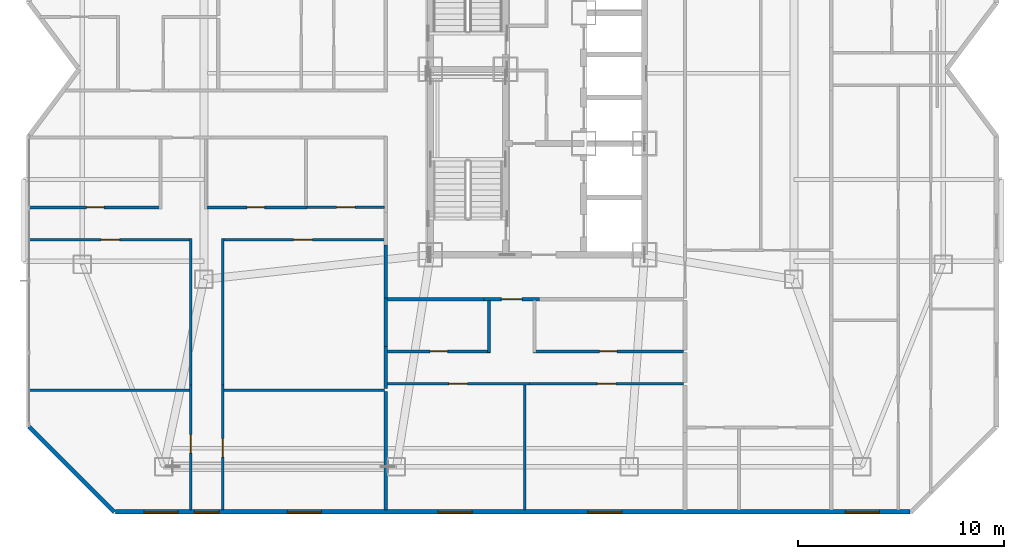
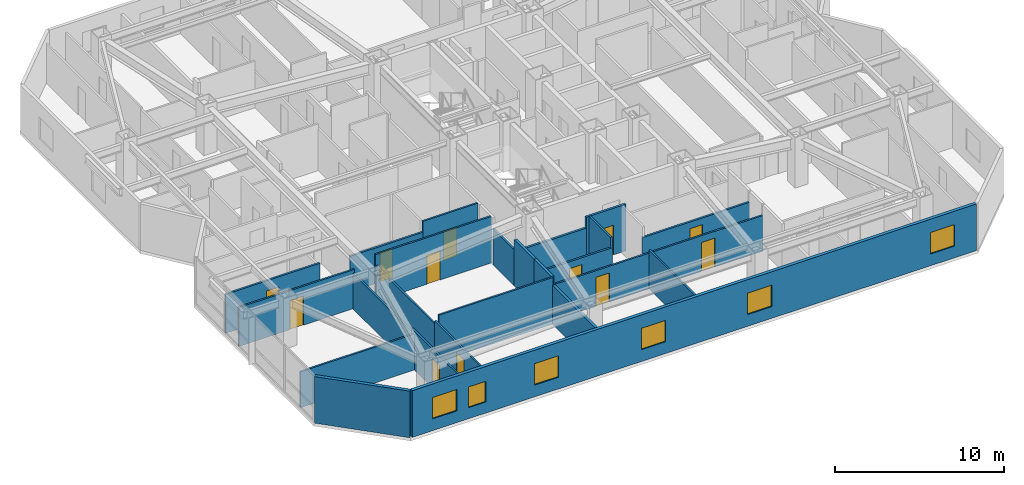
# One storey, part 11 of 17: 25 walls, 12 doors, 6 windows, 18 openings.
"""IFC4 building model written with IfcOpenShell, lengths in metres."""

from ifc_helpers import new_model, si_unit, direction, frame, frame_2d, origin, place, context, subcontext, project, spatial, rectangle, extrude, material, layer, layer_set, type_object, element, fill, save


model = new_model("IFC4")

# Units and contexts
model_context = context("Model", 3, precision=1e-05, world=origin(), true_north=direction((0.0, 1.0)))
body_context = subcontext(model_context, "Body", "Model", "MODEL_VIEW")
ifc_project = project(units=[si_unit("LENGTHUNIT", "METRE"), si_unit("AREAUNIT", "SQUARE_METRE"), si_unit("VOLUMEUNIT", "CUBIC_METRE"), si_unit("PLANEANGLEUNIT", "RADIAN"), si_unit("MASSUNIT", "GRAM", prefix="KILO")], contexts=[model_context])

# Site, building, storey
site_placement = place(None, origin())
site = spatial("IfcSite", under=ifc_project, at=site_placement, CompositionType="ELEMENT")
building_placement = place(site_placement, origin())
building = spatial("IfcBuilding", under=site, at=building_placement, Name="Khamvora Tower", CompositionType="ELEMENT")
storey_placement = place(building_placement, frame((0.0, 0.0, 142.050048828125)))
storey = spatial("IfcBuildingStorey", under=building, at=storey_placement, Name="L36", CompositionType="ELEMENT", Elevation=142.050048828125)

# Wall
ifc_material_1 = material(Name="Fire-Rated Drywall and Steel Stud", Category="steel")
ifc_layer_1 = layer(ifc_material_1, 0.14990234375)
ifc_layer_set_1 = layer_set([ifc_layer_1], Name="Fire-Rated Drywall and Steel Stud")
wall_type_1 = type_object("IfcWallType", Name="WAL-CORR-150", PredefinedType="STANDARD", material=ifc_layer_set_1)
wall_1_placement = place(storey_placement, frame((26.8349609375, 16.89990234375, 0.0), z_axis=(0.0, 0.0, 1.0), x_axis=(0.0, 1.0, 0.0)))
element("IfcWall", 1, at=wall_1_placement, inside=storey, type_object=wall_type_1, Name="L36 interior partition wall 013", PredefinedType="STANDARD", context=body_context, shape_type="SweptSolid", body=[
    extrude(rectangle(XDim=2.566162109375, YDim=0.14990234375, at=frame_2d((1.283203125, 0.0))), origin(), (0.0, 0.0, 1.0), 2.5869140625),
])

# Wall, opening, door
wall_2_placement = place(storey_placement, frame((34.299072265625, 16.8349609375, 0.0), z_axis=(0.0, 0.0, 1.0), x_axis=(-1.0, 0.0, 0.0)))
wall_2 = element("IfcWall", 2, at=wall_2_placement, inside=storey, type_object=wall_type_1, Name="L36 interior partition wall 022", PredefinedType="STANDARD", context=body_context, shape_type="SweptSolid", body=[
    extrude(rectangle(XDim=2.697998046875, YDim=0.14990234375, at=frame_2d((1.34912109375, 0.0))), origin(), (0.0, 0.0, 1.0), 3.369873046875),
])
opening_1_placement = place(wall_2_placement, frame((0.84912109375, 0.0, 0.0)))
opening_1 = element("IfcOpeningElement", 3, at=opening_1_placement, cuts=wall_2, Name="Opening D-U1", PredefinedType="OPENING", context=body_context, shape_type="SweptSolid", body=[
    extrude(rectangle(XDim=1.0, YDim=2.14990234375, at=frame_2d((0.5, 1.074951171875))), frame((0.0, 0.0849609375, 0.0), z_axis=(0.0, -1.0, 0.0), x_axis=(1.0, 0.0, 0.0)), (0.0, 0.0, 1.0), 0.169921875),
])
ifc_material_2 = material(Name="Powder-Coated Steel and Hardwood Leaf", Category="steel")
door_type_1 = type_object("IfcDoorType", Name="DOR-UNIT-1000", OperationType="NOTDEFINED", PredefinedType="DOOR", material=ifc_material_2)
door_1_placement = place(opening_1_placement, origin())
door_1 = element("IfcDoor", 4, at=door_1_placement, inside=storey, type_object=door_type_1, Name="L36 interior door COR-36SAH", OperationType="SINGLE_SWING_RIGHT", OverallHeight=2.14990234375, OverallWidth=1.0, PredefinedType="DOOR", context=body_context, shape_type="SweptSolid", body=[
    extrude(rectangle(XDim=1.0, YDim=2.14990234375, at=frame_2d((0.5, 1.074951171875))), frame((0.0, 0.02490234375, 0.0), z_axis=(0.0, -1.0, 0.0), x_axis=(1.0, 0.0, 0.0)), (0.0, 0.0, 1.0), 0.050048828125),
])
fill(opening_1, door_1)

# Walls
wall_3_placement = place(storey_placement, frame((31.60107421875, 16.8349609375, 0.0), z_axis=(0.0, 0.0, 1.0), x_axis=(-1.0, 0.0, 0.0)))
element("IfcWall", 5, at=wall_3_placement, inside=storey, type_object=wall_type_1, Name="L36 interior partition wall 023", PredefinedType="STANDARD", context=body_context, shape_type="SweptSolid", body=[
    extrude(rectangle(XDim=4.701171875, YDim=0.14990234375, at=frame_2d((2.3505859375, 0.0))), origin(), (0.0, 0.0, 1.0), 2.5869140625),
])
ifc_material_3 = material(Name="Acoustic Double-Stud Fire Wall", Category="gypsum")
ifc_layer_2 = layer(ifc_material_3, 0.179931640625)
ifc_layer_set_2 = layer_set([ifc_layer_2], Name="Acoustic Double-Stud Fire Wall")
wall_type_2 = type_object("IfcWallType", Name="WAL-CORR-180", PredefinedType="STANDARD", material=ifc_layer_set_2)
wall_4_placement = place(storey_placement, frame((26.8349609375, 12.364013671875, 0.0), z_axis=(0.0, 0.0, 1.0), x_axis=(0.0, -1.0, 0.0)))
element("IfcWall", 6, at=wall_4_placement, inside=storey, type_object=wall_type_2, Name="L36 interior partition wall 058", PredefinedType="STANDARD", context=body_context, shape_type="SweptSolid", body=[
    extrude(rectangle(XDim=5.751953125, YDim=0.179931640625, at=frame_2d((2.8759765625, 0.0))), origin(), (0.0, 0.0, 1.0), 2.81591796875),
])
wall_5_placement = place(storey_placement, frame((26.8349609375, 14.553955078125, 0.0), z_axis=(0.0, 0.0, 1.0), x_axis=(0.0, -1.0, 0.0)))
element("IfcWall", 7, at=wall_5_placement, inside=storey, type_object=wall_type_2, Name="L36 interior partition wall 059", PredefinedType="STANDARD", context=body_context, shape_type="SweptSolid", body=[
    extrude(rectangle(XDim=2.06005859375, YDim=0.179931640625, at=frame_2d((1.030029296875, 0.0))), origin(), (0.0, 0.0, 1.0), 3.369873046875),
])
wall_6_placement = place(storey_placement, frame((26.8349609375, 16.89990234375, 0.0), z_axis=(0.0, 0.0, 1.0), x_axis=(0.0, -1.0, 0.0)))
element("IfcWall", 8, at=wall_6_placement, inside=storey, type_object=wall_type_2, Name="L36 interior partition wall 060", PredefinedType="STANDARD", context=body_context, shape_type="SweptSolid", body=[
    extrude(rectangle(XDim=2.345947265625, YDim=0.179931640625, at=frame_2d((1.1728515625, 0.0))), origin(), (0.0, 0.0, 1.0), 3.369873046875),
])
ifc_material_4 = material(Name="Precast concrete C40/50", Category="concrete")
ifc_layer_3 = layer(ifc_material_4, 0.219970703125)
ifc_layer_set_3 = layer_set([ifc_layer_3], Name="Precast concrete C40/50")
wall_type_3 = type_object("IfcWallType", Name="WAL-EXT-220", PredefinedType="STANDARD", material=ifc_layer_set_3)
wall_7_placement = place(storey_placement, frame((13.64599609375, 6.510009765625, 0.0), z_axis=(0.0, 0.0, 1.0), x_axis=(-0.707106781187, 0.707106781187, 0.0)))
element("IfcWall", 9, at=wall_7_placement, inside=storey, type_object=wall_type_3, Name="L36 exterior facade wall 01.1", PredefinedType="STANDARD", context=body_context, shape_type="SweptSolid", body=[
    extrude(rectangle(XDim=5.84912109375, YDim=0.219970703125, at=frame_2d((2.924560546875, 0.0))), origin(), (0.0, 0.0, 1.0), 3.369873046875),
])

# Wall, openings, windows
wall_8_placement = place(storey_placement, frame((52.282958984375, 6.510009765625, 0.0), z_axis=(0.0, 0.0, 1.0), x_axis=(-1.0, 0.0, 0.0)))
wall_8 = element("IfcWall", 10, at=wall_8_placement, inside=storey, type_object=wall_type_3, Name="L36 exterior facade wall 14.1", PredefinedType="STANDARD", context=body_context, shape_type="SweptSolid", body=[
    extrude(rectangle(XDim=38.56787109375, YDim=0.219970703125, at=frame_2d((19.283935546875, 0.0))), origin(), (0.0, 0.0, 1.0), 3.369873046875),
])
opening_2_placement = place(wall_8_placement, frame((33.54296875, 0.0, 0.800048828125)))
opening_2 = element("IfcOpeningElement", 11, at=opening_2_placement, cuts=wall_8, Name="Opening WN-03", PredefinedType="OPENING", context=body_context, shape_type="SweptSolid", body=[
    extrude(rectangle(XDim=1.199951171875, YDim=1.5, at=frame_2d((0.60009765625, 0.75))), frame((0.0, 0.119873046875, 0.0), z_axis=(0.0, -1.0, 0.0), x_axis=(1.0, 0.0, 0.0)), (0.0, 0.0, 1.0), 0.239990234375),
])
opening_3_placement = place(wall_8_placement, frame((35.530029296875, 0.0, 0.85009765625)))
opening_3 = element("IfcOpeningElement", 12, at=opening_3_placement, cuts=wall_8, Name="Opening WN-06", PredefinedType="OPENING", context=body_context, shape_type="SweptSolid", body=[
    extrude(rectangle(XDim=1.64990234375, YDim=1.550048828125, at=frame_2d((0.824951171875, 0.77490234375))), frame((0.0, 0.119873046875, 0.0), z_axis=(0.0, -1.0, 0.0), x_axis=(1.0, 0.0, 0.0)), (0.0, 0.0, 1.0), 0.239990234375),
])
opening_4_placement = place(wall_8_placement, frame((28.577880859375, 0.0, 0.85009765625)))
opening_4 = element("IfcOpeningElement", 13, at=opening_4_placement, cuts=wall_8, Name="Opening WN-06", PredefinedType="OPENING", context=body_context, shape_type="SweptSolid", body=[
    extrude(rectangle(XDim=1.64990234375, YDim=1.550048828125, at=frame_2d((0.824951171875, 0.77490234375))), frame((0.0, 0.119873046875, 0.0), z_axis=(0.0, -1.0, 0.0), x_axis=(1.0, 0.0, 0.0)), (0.0, 0.0, 1.0), 0.239990234375),
])
opening_5_placement = place(wall_8_placement, frame((21.2529296875, 0.0, 0.85009765625)))
opening_5 = element("IfcOpeningElement", 14, at=opening_5_placement, cuts=wall_8, Name="Opening WN-06", PredefinedType="OPENING", context=body_context, shape_type="SweptSolid", body=[
    extrude(rectangle(XDim=1.64990234375, YDim=1.550048828125, at=frame_2d((0.824951171875, 0.77490234375))), frame((0.0, 0.119873046875, 0.0), z_axis=(0.0, -1.0, 0.0), x_axis=(1.0, 0.0, 0.0)), (0.0, 0.0, 1.0), 0.239990234375),
])
opening_6_placement = place(wall_8_placement, frame((13.988037109375, 0.0, 0.85009765625)))
opening_6 = element("IfcOpeningElement", 15, at=opening_6_placement, cuts=wall_8, Name="Opening WN-06", PredefinedType="OPENING", context=body_context, shape_type="SweptSolid", body=[
    extrude(rectangle(XDim=1.64990234375, YDim=1.550048828125, at=frame_2d((0.824951171875, 0.77490234375))), frame((0.0, 0.119873046875, 0.0), z_axis=(0.0, -1.0, 0.0), x_axis=(1.0, 0.0, 0.0)), (0.0, 0.0, 1.0), 0.239990234375),
])
opening_7_placement = place(wall_8_placement, frame((1.47900390625, 0.0, 0.85009765625)))
opening_7 = element("IfcOpeningElement", 16, at=opening_7_placement, cuts=wall_8, Name="Opening WN-06", PredefinedType="OPENING", context=body_context, shape_type="SweptSolid", body=[
    extrude(rectangle(XDim=1.64990234375, YDim=1.550048828125, at=frame_2d((0.824951171875, 0.77490234375))), frame((0.0, 0.119873046875, 0.0), z_axis=(0.0, -1.0, 0.0), x_axis=(1.0, 0.0, 0.0)), (0.0, 0.0, 1.0), 0.239990234375),
])
ifc_material_5 = material(Name="Low-E Laminated Double Glazing", Category="glass")
window_type_1 = type_object("IfcWindowType", Name="WIN-VIS-1200x1500", PartitioningType="SINGLE_PANEL", PredefinedType="WINDOW", material=ifc_material_5)
window_1_placement = place(opening_2_placement, origin())
window_1 = element("IfcWindow", 17, at=window_1_placement, inside=storey, type_object=window_type_1, Name="L36 vision window 14.1.01", OverallHeight=1.5, OverallWidth=1.199951171875, PartitioningType="SINGLE_PANEL", PredefinedType="WINDOW", context=body_context, shape_type="SweptSolid", body=[
    extrude(rectangle(XDim=1.199951171875, YDim=1.5, at=frame_2d((0.60009765625, 0.75))), frame((0.0, 0.030029296875, 0.0), z_axis=(0.0, -1.0, 0.0), x_axis=(1.0, 0.0, 0.0)), (0.0, 0.0, 1.0), 0.06005859375),
])
fill(opening_2, window_1)
window_type_2 = type_object("IfcWindowType", Name="WIN-VIS-1650x1550", PartitioningType="SINGLE_PANEL", PredefinedType="WINDOW", material=ifc_material_5)
window_2_placement = place(opening_3_placement, origin())
window_2 = element("IfcWindow", 18, at=window_2_placement, inside=storey, type_object=window_type_2, Name="L36 vision window 14.1.02", OverallHeight=1.550048828125, OverallWidth=1.64990234375, PartitioningType="SINGLE_PANEL", PredefinedType="WINDOW", context=body_context, shape_type="SweptSolid", body=[
    extrude(rectangle(XDim=1.64990234375, YDim=1.550048828125, at=frame_2d((0.824951171875, 0.77490234375))), frame((0.0, 0.030029296875, 0.0), z_axis=(0.0, -1.0, 0.0), x_axis=(1.0, 0.0, 0.0)), (0.0, 0.0, 1.0), 0.06005859375),
])
fill(opening_3, window_2)
window_3_placement = place(opening_4_placement, origin())
window_3 = element("IfcWindow", 19, at=window_3_placement, inside=storey, type_object=window_type_2, Name="L36 vision window 14.1.03", OverallHeight=1.550048828125, OverallWidth=1.64990234375, PartitioningType="SINGLE_PANEL", PredefinedType="WINDOW", context=body_context, shape_type="SweptSolid", body=[
    extrude(rectangle(XDim=1.64990234375, YDim=1.550048828125, at=frame_2d((0.824951171875, 0.77490234375))), frame((0.0, 0.030029296875, 0.0), z_axis=(0.0, -1.0, 0.0), x_axis=(1.0, 0.0, 0.0)), (0.0, 0.0, 1.0), 0.06005859375),
])
fill(opening_4, window_3)
window_4_placement = place(opening_5_placement, origin())
window_4 = element("IfcWindow", 20, at=window_4_placement, inside=storey, type_object=window_type_2, Name="L36 vision window 14.1.04", OverallHeight=1.550048828125, OverallWidth=1.64990234375, PartitioningType="SINGLE_PANEL", PredefinedType="WINDOW", context=body_context, shape_type="SweptSolid", body=[
    extrude(rectangle(XDim=1.64990234375, YDim=1.550048828125, at=frame_2d((0.824951171875, 0.77490234375))), frame((0.0, 0.030029296875, 0.0), z_axis=(0.0, -1.0, 0.0), x_axis=(1.0, 0.0, 0.0)), (0.0, 0.0, 1.0), 0.06005859375),
])
fill(opening_5, window_4)
window_5_placement = place(opening_6_placement, origin())
window_5 = element("IfcWindow", 21, at=window_5_placement, inside=storey, type_object=window_type_2, Name="L36 vision window 14.1.05", OverallHeight=1.550048828125, OverallWidth=1.64990234375, PartitioningType="SINGLE_PANEL", PredefinedType="WINDOW", context=body_context, shape_type="SweptSolid", body=[
    extrude(rectangle(XDim=1.64990234375, YDim=1.550048828125, at=frame_2d((0.824951171875, 0.77490234375))), frame((0.0, 0.030029296875, 0.0), z_axis=(0.0, -1.0, 0.0), x_axis=(1.0, 0.0, 0.0)), (0.0, 0.0, 1.0), 0.06005859375),
])
fill(opening_6, window_5)
window_6_placement = place(opening_7_placement, origin())
window_6 = element("IfcWindow", 22, at=window_6_placement, inside=storey, type_object=window_type_2, Name="L36 vision window 14.1.06", OverallHeight=1.550048828125, OverallWidth=1.64990234375, PartitioningType="SINGLE_PANEL", PredefinedType="WINDOW", context=body_context, shape_type="SweptSolid", body=[
    extrude(rectangle(XDim=1.64990234375, YDim=1.550048828125, at=frame_2d((0.824951171875, 0.77490234375))), frame((0.0, 0.030029296875, 0.0), z_axis=(0.0, -1.0, 0.0), x_axis=(1.0, 0.0, 0.0)), (0.0, 0.0, 1.0), 0.06005859375),
])
fill(opening_7, window_6)

# Wall, opening, door
ifc_material_6 = material(Name="Gypsum Plasterboard Partition", Category="gypsum")
ifc_layer_4 = layer(ifc_material_6, 0.1201171875)
ifc_layer_set_4 = layer_set([ifc_layer_4], Name="Gypsum Plasterboard Partition")
wall_type_4 = type_object("IfcWallType", Name="WAL-PART-120", PredefinedType="PARTITIONING", material=ifc_layer_set_4)
wall_9_placement = place(storey_placement, frame((26.77001953125, 21.294921875, 0.0), z_axis=(0.0, 0.0, 1.0), x_axis=(-1.0, 0.0, 0.0)))
wall_9 = element("IfcWall", 23, at=wall_9_placement, inside=storey, type_object=wall_type_4, Name="L36 interior partition wall 044", PredefinedType="PARTITIONING", context=body_context, shape_type="SweptSolid", body=[
    extrude(rectangle(XDim=3.75, YDim=0.1201171875, at=frame_2d((1.875, 0.0))), origin(), (0.0, 0.0, 1.0), 3.369873046875),
])
opening_8_placement = place(wall_9_placement, frame((1.425048828125, 0.0, 0.0)))
opening_8 = element("IfcOpeningElement", 24, at=opening_8_placement, cuts=wall_9, Name="Opening D-RM1", PredefinedType="OPENING", context=body_context, shape_type="SweptSolid", body=[
    extrude(rectangle(XDim=0.89990234375, YDim=2.10009765625, at=frame_2d((0.449951171875, 1.050048828125))), frame((0.0, 0.070068359375, 0.0), z_axis=(0.0, -1.0, 0.0), x_axis=(1.0, 0.0, 0.0)), (0.0, 0.0, 1.0), 0.14013671875),
])
door_type_2 = type_object("IfcDoorType", Name="DOR-ROOM-900", OperationType="NOTDEFINED", PredefinedType="DOOR", material=ifc_material_2)
door_2_placement = place(opening_8_placement, origin())
door_2 = element("IfcDoor", 25, at=door_2_placement, inside=storey, type_object=door_type_2, Name="L36 interior door 36WAW2-36WAH", OperationType="SINGLE_SWING_LEFT", OverallHeight=2.10009765625, OverallWidth=0.89990234375, PredefinedType="DOOR", context=body_context, shape_type="SweptSolid", body=[
    extrude(rectangle(XDim=0.89990234375, YDim=2.10009765625, at=frame_2d((0.449951171875, 1.050048828125))), frame((0.0, 0.02490234375, 0.0), z_axis=(0.0, -1.0, 0.0), x_axis=(1.0, 0.0, 0.0)), (0.0, 0.0, 1.0), 0.050048828125),
])
fill(opening_8, door_2)

wall_10_placement = place(storey_placement, frame((17.35498046875, 6.612060546875, 0.0), z_axis=(0.0, 0.0, 1.0), x_axis=(0.0, 1.0, 0.0)))
wall_10 = element("IfcWall", 26, at=wall_10_placement, inside=storey, type_object=wall_type_4, Name="L36 interior partition wall 050", PredefinedType="PARTITIONING", context=body_context, shape_type="SweptSolid", body=[
    extrude(rectangle(XDim=6.06591796875, YDim=0.1201171875, at=frame_2d((3.032958984375, 0.0))), origin(), (0.0, 0.0, 1.0), 2.81591796875),
])
opening_9_placement = place(wall_10_placement, frame((2.75390625, 0.0, 0.0)))
opening_9 = element("IfcOpeningElement", 27, at=opening_9_placement, cuts=wall_10, Name="Opening D-RM1", PredefinedType="OPENING", context=body_context, shape_type="SweptSolid", body=[
    extrude(rectangle(XDim=0.89990234375, YDim=2.10009765625, at=frame_2d((0.449951171875, 1.050048828125))), frame((0.0, 0.070068359375, 0.0), z_axis=(0.0, -1.0, 0.0), x_axis=(1.0, 0.0, 0.0)), (0.0, 0.0, 1.0), 0.14013671875),
])
door_3_placement = place(opening_9_placement, origin())
door_3 = element("IfcDoor", 28, at=door_3_placement, inside=storey, type_object=door_type_2, Name="L36 interior door 36WAH-36WAR1", OperationType="SINGLE_SWING_RIGHT", OverallHeight=2.10009765625, OverallWidth=0.89990234375, PredefinedType="DOOR", context=body_context, shape_type="SweptSolid", body=[
    extrude(rectangle(XDim=0.89990234375, YDim=2.10009765625, at=frame_2d((0.449951171875, 1.050048828125))), frame((0.0, 0.02490234375, 0.0), z_axis=(0.0, -1.0, 0.0), x_axis=(1.0, 0.0, 0.0)), (0.0, 0.0, 1.0), 0.050048828125),
])
fill(opening_9, door_3)

# Wall
wall_11_placement = place(storey_placement, frame((17.35498046875, 12.677978515625, 0.0), z_axis=(0.0, 0.0, 1.0), x_axis=(0.0, 1.0, 0.0)))
element("IfcWall", 29, at=wall_11_placement, inside=storey, type_object=wall_type_4, Name="L36 interior partition wall 051", PredefinedType="PARTITIONING", context=body_context, shape_type="SweptSolid", body=[
    extrude(rectangle(XDim=7.10205078125, YDim=0.1201171875, at=frame_2d((3.551025390625, 0.0))), origin(), (0.0, 0.0, 1.0), 2.5869140625),
])

# Wall, opening, door
wall_12_placement = place(storey_placement, frame((17.419921875, 19.715087890625, 0.0), z_axis=(0.0, 0.0, 1.0), x_axis=(-1.0, 0.0, 0.0)))
wall_12 = element("IfcWall", 30, at=wall_12_placement, inside=storey, type_object=wall_type_4, Name="L36 interior partition wall 052", PredefinedType="PARTITIONING", context=body_context, shape_type="SweptSolid", body=[
    extrude(rectangle(XDim=7.909912109375, YDim=0.1201171875, at=frame_2d((3.955078125, 0.0))), origin(), (0.0, 0.0, 1.0), 2.81591796875),
])
opening_10_placement = place(wall_12_placement, frame((3.5048828125, 0.0, 0.0)))
opening_10 = element("IfcOpeningElement", 31, at=opening_10_placement, cuts=wall_12, Name="Opening D-RM1", PredefinedType="OPENING", context=body_context, shape_type="SweptSolid", body=[
    extrude(rectangle(XDim=0.89990234375, YDim=2.10009765625, at=frame_2d((0.449951171875, 1.050048828125))), frame((0.0, 0.070068359375, 0.0), z_axis=(0.0, -1.0, 0.0), x_axis=(1.0, 0.0, 0.0)), (0.0, 0.0, 1.0), 0.14013671875),
])
door_4_placement = place(opening_10_placement, origin())
door_4 = element("IfcDoor", 32, at=door_4_placement, inside=storey, type_object=door_type_2, Name="L36 interior door 36WAH-36WAR2", OperationType="SINGLE_SWING_LEFT", OverallHeight=2.10009765625, OverallWidth=0.89990234375, PredefinedType="DOOR", context=body_context, shape_type="SweptSolid", body=[
    extrude(rectangle(XDim=0.89990234375, YDim=2.10009765625, at=frame_2d((0.449951171875, 1.050048828125))), frame((0.0, 0.02490234375, 0.0), z_axis=(0.0, -1.0, 0.0), x_axis=(1.0, 0.0, 0.0)), (0.0, 0.0, 1.0), 0.050048828125),
])
fill(opening_10, door_4)

wall_13_placement = place(storey_placement, frame((18.925048828125, 12.677978515625, 0.0), z_axis=(0.0, 0.0, 1.0), x_axis=(0.0, -1.0, 0.0)))
wall_13 = element("IfcWall", 33, at=wall_13_placement, inside=storey, type_object=wall_type_4, Name="L36 interior partition wall 053", PredefinedType="PARTITIONING", context=body_context, shape_type="SweptSolid", body=[
    extrude(rectangle(XDim=6.06591796875, YDim=0.1201171875, at=frame_2d((3.032958984375, 0.0))), origin(), (0.0, 0.0, 1.0), 2.81591796875),
])
opening_11_placement = place(wall_13_placement, frame((2.60400390625, 0.0, 0.0)))
opening_11 = element("IfcOpeningElement", 34, at=opening_11_placement, cuts=wall_13, Name="Opening D-RM1", PredefinedType="OPENING", context=body_context, shape_type="SweptSolid", body=[
    extrude(rectangle(XDim=0.89990234375, YDim=2.10009765625, at=frame_2d((0.449951171875, 1.050048828125))), frame((0.0, 0.070068359375, 0.0), z_axis=(0.0, -1.0, 0.0), x_axis=(1.0, 0.0, 0.0)), (0.0, 0.0, 1.0), 0.14013671875),
])
door_5_placement = place(opening_11_placement, origin())
door_5 = element("IfcDoor", 35, at=door_5_placement, inside=storey, type_object=door_type_2, Name="L36 interior door 36WAH-36WAR3", OperationType="SINGLE_SWING_RIGHT", OverallHeight=2.10009765625, OverallWidth=0.89990234375, PredefinedType="DOOR", context=body_context, shape_type="SweptSolid", body=[
    extrude(rectangle(XDim=0.89990234375, YDim=2.10009765625, at=frame_2d((0.449951171875, 1.050048828125))), frame((0.0, 0.02490234375, 0.0), z_axis=(0.0, -1.0, 0.0), x_axis=(1.0, 0.0, 0.0)), (0.0, 0.0, 1.0), 0.050048828125),
])
fill(opening_11, door_5)

wall_14_placement = place(storey_placement, frame((26.77001953125, 19.715087890625, 0.0), z_axis=(0.0, 0.0, 1.0), x_axis=(-1.0, 0.0, 0.0)))
wall_14 = element("IfcWall", 36, at=wall_14_placement, inside=storey, type_object=wall_type_4, Name="L36 interior partition wall 054", PredefinedType="PARTITIONING", context=body_context, shape_type="SweptSolid", body=[
    extrude(rectangle(XDim=7.909912109375, YDim=0.1201171875, at=frame_2d((3.955078125, 0.0))), origin(), (0.0, 0.0, 1.0), 3.369873046875),
])
opening_12_placement = place(wall_14_placement, frame((3.5048828125, 0.0, 0.0)))
opening_12 = element("IfcOpeningElement", 37, at=opening_12_placement, cuts=wall_14, Name="Opening D-RM1", PredefinedType="OPENING", context=body_context, shape_type="SweptSolid", body=[
    extrude(rectangle(XDim=0.89990234375, YDim=2.10009765625, at=frame_2d((0.449951171875, 1.050048828125))), frame((0.0, 0.070068359375, 0.0), z_axis=(0.0, -1.0, 0.0), x_axis=(1.0, 0.0, 0.0)), (0.0, 0.0, 1.0), 0.14013671875),
])
door_6_placement = place(opening_12_placement, origin())
door_6 = element("IfcDoor", 38, at=door_6_placement, inside=storey, type_object=door_type_2, Name="L36 interior door 36WAH-36WAR4", OperationType="SINGLE_SWING_LEFT", OverallHeight=2.10009765625, OverallWidth=0.89990234375, PredefinedType="DOOR", context=body_context, shape_type="SweptSolid", body=[
    extrude(rectangle(XDim=0.89990234375, YDim=2.10009765625, at=frame_2d((0.449951171875, 1.050048828125))), frame((0.0, 0.02490234375, 0.0), z_axis=(0.0, -1.0, 0.0), x_axis=(1.0, 0.0, 0.0)), (0.0, 0.0, 1.0), 0.050048828125),
])
fill(opening_12, door_6)

# Walls
wall_15_placement = place(storey_placement, frame((18.925048828125, 19.780029296875, 0.0), z_axis=(0.0, 0.0, 1.0), x_axis=(0.0, -1.0, 0.0)))
element("IfcWall", 39, at=wall_15_placement, inside=storey, type_object=wall_type_4, Name="L36 interior partition wall 055", PredefinedType="PARTITIONING", context=body_context, shape_type="SweptSolid", body=[
    extrude(rectangle(XDim=7.10205078125, YDim=0.1201171875, at=frame_2d((3.551025390625, 0.0))), origin(), (0.0, 0.0, 1.0), 2.5869140625),
])
wall_16_placement = place(storey_placement, frame((9.510009765625, 12.428955078125, 0.0), z_axis=(0.0, 0.0, 1.0), x_axis=(1.0, 0.0, 0.0)))
element("IfcWall", 40, at=wall_16_placement, inside=storey, type_object=wall_type_4, Name="L36 interior partition wall 056", PredefinedType="PARTITIONING", context=body_context, shape_type="SweptSolid", body=[
    extrude(rectangle(XDim=7.791015625, YDim=0.1201171875, at=frame_2d((3.8955078125, 0.0))), origin(), (0.0, 0.0, 1.0), 2.5869140625),
])
wall_17_placement = place(storey_placement, frame((18.97900390625, 12.428955078125, 0.0), z_axis=(0.0, 0.0, 1.0), x_axis=(1.0, 0.0, 0.0)))
element("IfcWall", 41, at=wall_17_placement, inside=storey, type_object=wall_type_4, Name="L36 interior partition wall 057", PredefinedType="PARTITIONING", context=body_context, shape_type="SweptSolid", body=[
    extrude(rectangle(XDim=7.791015625, YDim=0.1201171875, at=frame_2d((3.8955078125, 0.0))), origin(), (0.0, 0.0, 1.0), 3.369873046875),
])

# Wall, opening, door
wall_18_placement = place(storey_placement, frame((33.822998046875, 12.72509765625, 0.0), z_axis=(0.0, 0.0, 1.0), x_axis=(-1.0, 0.0, 0.0)))
wall_18 = element("IfcWall", 42, at=wall_18_placement, inside=storey, type_object=wall_type_4, Name="L36 interior partition wall 094", PredefinedType="PARTITIONING", context=body_context, shape_type="SweptSolid", body=[
    extrude(rectangle(XDim=6.906005859375, YDim=0.1201171875, at=frame_2d((3.453125, 0.0))), origin(), (0.0, 0.0, 1.0), 2.5869140625),
])
opening_13_placement = place(wall_18_placement, frame((3.02392578125, 0.0, 0.0)))
opening_13 = element("IfcOpeningElement", 43, at=opening_13_placement, cuts=wall_18, Name="Opening D-RM1", PredefinedType="OPENING", context=body_context, shape_type="SweptSolid", body=[
    extrude(rectangle(XDim=0.89990234375, YDim=2.10009765625, at=frame_2d((0.449951171875, 1.050048828125))), frame((0.0, 0.070068359375, 0.0), z_axis=(0.0, -1.0, 0.0), x_axis=(1.0, 0.0, 0.0)), (0.0, 0.0, 1.0), 0.14013671875),
])
door_7_placement = place(opening_13_placement, origin())
door_7 = element("IfcDoor", 44, at=door_7_placement, inside=storey, type_object=door_type_2, Name="L36 interior door 36SAH-36SAR1", OperationType="SINGLE_SWING_RIGHT", OverallHeight=2.10009765625, OverallWidth=0.89990234375, PredefinedType="DOOR", context=body_context, shape_type="SweptSolid", body=[
    extrude(rectangle(XDim=0.89990234375, YDim=2.10009765625, at=frame_2d((0.449951171875, 1.050048828125))), frame((0.0, 0.02490234375, 0.0), z_axis=(0.0, -1.0, 0.0), x_axis=(1.0, 0.0, 0.0)), (0.0, 0.0, 1.0), 0.050048828125),
])
fill(opening_13, door_7)

wall_19_placement = place(storey_placement, frame((41.300048828125, 12.72509765625, 0.0), z_axis=(0.0, 0.0, 1.0), x_axis=(-1.0, 0.0, 0.0)))
wall_19 = element("IfcWall", 45, at=wall_19_placement, inside=storey, type_object=wall_type_4, Name="L36 interior partition wall 095", PredefinedType="PARTITIONING", context=body_context, shape_type="SweptSolid", body=[
    extrude(rectangle(XDim=7.47705078125, YDim=0.1201171875, at=frame_2d((3.738525390625, 0.0))), origin(), (0.0, 0.0, 1.0), 2.5869140625),
])
opening_14_placement = place(wall_19_placement, frame((3.2880859375, 0.0, 0.0)))
opening_14 = element("IfcOpeningElement", 46, at=opening_14_placement, cuts=wall_19, Name="Opening D-RM1", PredefinedType="OPENING", context=body_context, shape_type="SweptSolid", body=[
    extrude(rectangle(XDim=0.89990234375, YDim=2.10009765625, at=frame_2d((0.449951171875, 1.050048828125))), frame((0.0, 0.070068359375, 0.0), z_axis=(0.0, -1.0, 0.0), x_axis=(1.0, 0.0, 0.0)), (0.0, 0.0, 1.0), 0.14013671875),
])
door_8_placement = place(opening_14_placement, origin())
door_8 = element("IfcDoor", 47, at=door_8_placement, inside=storey, type_object=door_type_2, Name="L36 interior door 36SAH-36SAR2", OperationType="SINGLE_SWING_LEFT", OverallHeight=2.10009765625, OverallWidth=0.89990234375, PredefinedType="DOOR", context=body_context, shape_type="SweptSolid", body=[
    extrude(rectangle(XDim=0.89990234375, YDim=2.10009765625, at=frame_2d((0.449951171875, 1.050048828125))), frame((0.0, 0.02490234375, 0.0), z_axis=(0.0, -1.0, 0.0), x_axis=(1.0, 0.0, 0.0)), (0.0, 0.0, 1.0), 0.050048828125),
])
fill(opening_14, door_8)

# Wall
wall_20_placement = place(storey_placement, frame((33.573974609375, 12.6708984375, 0.0), z_axis=(0.0, 0.0, 1.0), x_axis=(0.0, -1.0, 0.0)))
element("IfcWall", 48, at=wall_20_placement, inside=storey, type_object=wall_type_4, Name="L36 interior partition wall 098", PredefinedType="PARTITIONING", context=body_context, shape_type="SweptSolid", body=[
    extrude(rectangle(XDim=6.058837890625, YDim=0.1201171875, at=frame_2d((3.029296875, 0.0))), origin(), (0.0, 0.0, 1.0), 2.81591796875),
])

# Wall, opening, door
ifc_material_7 = material(Name="Moisture-Resistant Plasterboard Partition", Category="gypsum")
ifc_layer_5 = layer(ifc_material_7, 0.135009765625)
ifc_layer_set_5 = layer_set([ifc_layer_5], Name="Moisture-Resistant Plasterboard Partition")
wall_type_5 = type_object("IfcWallType", Name="WAL-WET-135", PredefinedType="PARTITIONING", material=ifc_layer_set_5)
wall_21_placement = place(storey_placement, frame((18.02490234375, 21.294921875, 0.0), z_axis=(0.0, 0.0, 1.0), x_axis=(1.0, 0.0, 0.0)))
wall_21 = element("IfcWall", 49, at=wall_21_placement, inside=storey, type_object=wall_type_5, Name="L36 interior partition wall 047", PredefinedType="PARTITIONING", context=body_context, shape_type="SweptSolid", body=[
    extrude(rectangle(XDim=4.9951171875, YDim=0.135009765625, at=frame_2d((2.49755859375, 0.0))), origin(), (0.0, 0.0, 1.0), 2.5869140625),
])
opening_15_placement = place(wall_21_placement, frame((2.072998046875, 0.0, 0.0)))
opening_15 = element("IfcOpeningElement", 50, at=opening_15_placement, cuts=wall_21, Name="Opening D-WC1", PredefinedType="OPENING", context=body_context, shape_type="SweptSolid", body=[
    extrude(rectangle(XDim=0.85009765625, YDim=2.10009765625, at=frame_2d((0.425048828125, 1.050048828125))), frame((0.0, 0.077392578125, 0.0), z_axis=(0.0, -1.0, 0.0), x_axis=(1.0, 0.0, 0.0)), (0.0, 0.0, 1.0), 0.155029296875),
])
door_type_3 = type_object("IfcDoorType", Name="DOR-WET-850", OperationType="NOTDEFINED", PredefinedType="DOOR", material=ifc_material_2)
door_9_placement = place(opening_15_placement, origin())
door_9 = element("IfcDoor", 51, at=door_9_placement, inside=storey, type_object=door_type_3, Name="L36 interior door 36WAH-36WAB", OperationType="SINGLE_SWING_RIGHT", OverallHeight=2.10009765625, OverallWidth=0.85009765625, PredefinedType="DOOR", context=body_context, shape_type="SweptSolid", body=[
    extrude(rectangle(XDim=0.85009765625, YDim=2.10009765625, at=frame_2d((0.425048828125, 1.050048828125))), frame((0.0, 0.02490234375, 0.0), z_axis=(0.0, -1.0, 0.0), x_axis=(1.0, 0.0, 0.0)), (0.0, 0.0, 1.0), 0.050048828125),
])
fill(opening_15, door_9)

wall_22_placement = place(storey_placement, frame((9.510009765625, 21.294921875, 0.0), z_axis=(0.0, 0.0, 1.0), x_axis=(1.0, 0.0, 0.0)))
wall_22 = element("IfcWall", 52, at=wall_22_placement, inside=storey, type_object=wall_type_5, Name="L36 interior partition wall 048", PredefinedType="PARTITIONING", context=body_context, shape_type="SweptSolid", body=[
    extrude(rectangle(XDim=6.445068359375, YDim=0.135009765625, at=frame_2d((3.22265625, 0.0))), origin(), (0.0, 0.0, 1.0), 2.81591796875),
])
opening_16_placement = place(wall_22_placement, frame((2.798095703125, 0.0, 0.0)))
opening_16 = element("IfcOpeningElement", 53, at=opening_16_placement, cuts=wall_22, Name="Opening D-RM2", PredefinedType="OPENING", context=body_context, shape_type="SweptSolid", body=[
    extrude(rectangle(XDim=0.85009765625, YDim=2.10009765625, at=frame_2d((0.425048828125, 1.050048828125))), frame((0.0, 0.077392578125, 0.0), z_axis=(0.0, -1.0, 0.0), x_axis=(1.0, 0.0, 0.0)), (0.0, 0.0, 1.0), 0.155029296875),
])
door_type_4 = type_object("IfcDoorType", Name="DOR-ROOM-850", OperationType="NOTDEFINED", PredefinedType="DOOR", material=ifc_material_2)
door_10_placement = place(opening_16_placement, origin())
door_10 = element("IfcDoor", 54, at=door_10_placement, inside=storey, type_object=door_type_4, Name="L36 interior door 36WAH-36WAK", OperationType="SINGLE_SWING_LEFT", OverallHeight=2.10009765625, OverallWidth=0.85009765625, PredefinedType="DOOR", context=body_context, shape_type="SweptSolid", body=[
    extrude(rectangle(XDim=0.85009765625, YDim=2.10009765625, at=frame_2d((0.425048828125, 1.050048828125))), frame((0.0, 0.02490234375, 0.0), z_axis=(0.0, -1.0, 0.0), x_axis=(1.0, 0.0, 0.0)), (0.0, 0.0, 1.0), 0.050048828125),
])
fill(opening_16, door_10)

wall_23_placement = place(storey_placement, frame((26.9169921875, 14.304931640625, 0.0), z_axis=(0.0, 0.0, 1.0), x_axis=(1.0, 0.0, 0.0)))
wall_23 = element("IfcWall", 55, at=wall_23_placement, inside=storey, type_object=wall_type_5, Name="L36 interior partition wall 090", PredefinedType="PARTITIONING", context=body_context, shape_type="SweptSolid", body=[
    extrude(rectangle(XDim=4.998046875, YDim=0.135009765625, at=frame_2d((2.4990234375, 0.0))), origin(), (0.0, 0.0, 1.0), 2.5869140625),
])
opening_17_placement = place(wall_23_placement, frame((2.073974609375, 0.0, 0.0)))
opening_17 = element("IfcOpeningElement", 56, at=opening_17_placement, cuts=wall_23, Name="Opening D-WC1", PredefinedType="OPENING", context=body_context, shape_type="SweptSolid", body=[
    extrude(rectangle(XDim=0.85009765625, YDim=2.10009765625, at=frame_2d((0.425048828125, 1.050048828125))), frame((0.0, 0.077392578125, 0.0), z_axis=(0.0, -1.0, 0.0), x_axis=(1.0, 0.0, 0.0)), (0.0, 0.0, 1.0), 0.155029296875),
])
door_11_placement = place(opening_17_placement, origin())
door_11 = element("IfcDoor", 57, at=door_11_placement, inside=storey, type_object=door_type_3, Name="L36 interior door 36SAH-36SAB", OperationType="SINGLE_SWING_RIGHT", OverallHeight=2.10009765625, OverallWidth=0.85009765625, PredefinedType="DOOR", context=body_context, shape_type="SweptSolid", body=[
    extrude(rectangle(XDim=0.85009765625, YDim=2.10009765625, at=frame_2d((0.425048828125, 1.050048828125))), frame((0.0, 0.02490234375, 0.0), z_axis=(0.0, -1.0, 0.0), x_axis=(1.0, 0.0, 0.0)), (0.0, 0.0, 1.0), 0.050048828125),
])
fill(opening_17, door_11)

# Wall
wall_24_placement = place(storey_placement, frame((31.85009765625, 14.239990234375, 0.0), z_axis=(0.0, 0.0, 1.0), x_axis=(0.0, 1.0, 0.0)))
element("IfcWall", 58, at=wall_24_placement, inside=storey, type_object=wall_type_5, Name="L36 interior partition wall 091", PredefinedType="PARTITIONING", context=body_context, shape_type="SweptSolid", body=[
    extrude(rectangle(XDim=2.530029296875, YDim=0.135009765625, at=frame_2d((1.26513671875, 0.0))), origin(), (0.0, 0.0, 1.0), 3.369873046875),
])

# Wall, opening, door
wall_25_placement = place(storey_placement, frame((33.985107421875, 14.304931640625, 0.0), z_axis=(0.0, 0.0, 1.0), x_axis=(1.0, 0.0, 0.0)))
wall_25 = element("IfcWall", 59, at=wall_25_placement, inside=storey, type_object=wall_type_5, Name="L36 interior partition wall 093", PredefinedType="PARTITIONING", context=body_context, shape_type="SweptSolid", body=[
    extrude(rectangle(XDim=7.31494140625, YDim=0.135009765625, at=frame_2d((3.657470703125, 0.0))), origin(), (0.0, 0.0, 1.0), 2.5869140625),
])
opening_18_placement = place(wall_25_placement, frame((3.23291015625, 0.0, 0.0)))
opening_18 = element("IfcOpeningElement", 60, at=opening_18_placement, cuts=wall_25, Name="Opening D-RM2", PredefinedType="OPENING", context=body_context, shape_type="SweptSolid", body=[
    extrude(rectangle(XDim=0.85009765625, YDim=2.10009765625, at=frame_2d((0.425048828125, 1.050048828125))), frame((0.0, 0.077392578125, 0.0), z_axis=(0.0, -1.0, 0.0), x_axis=(1.0, 0.0, 0.0)), (0.0, 0.0, 1.0), 0.155029296875),
])
door_12_placement = place(opening_18_placement, origin())
door_12 = element("IfcDoor", 61, at=door_12_placement, inside=storey, type_object=door_type_4, Name="L36 interior door 36SAH-36SAK", OperationType="SINGLE_SWING_LEFT", OverallHeight=2.10009765625, OverallWidth=0.85009765625, PredefinedType="DOOR", context=body_context, shape_type="SweptSolid", body=[
    extrude(rectangle(XDim=0.85009765625, YDim=2.10009765625, at=frame_2d((0.425048828125, 1.050048828125))), frame((0.0, 0.02490234375, 0.0), z_axis=(0.0, -1.0, 0.0), x_axis=(1.0, 0.0, 0.0)), (0.0, 0.0, 1.0), 0.050048828125),
])
fill(opening_18, door_12)

save(model, "model.ifc")
